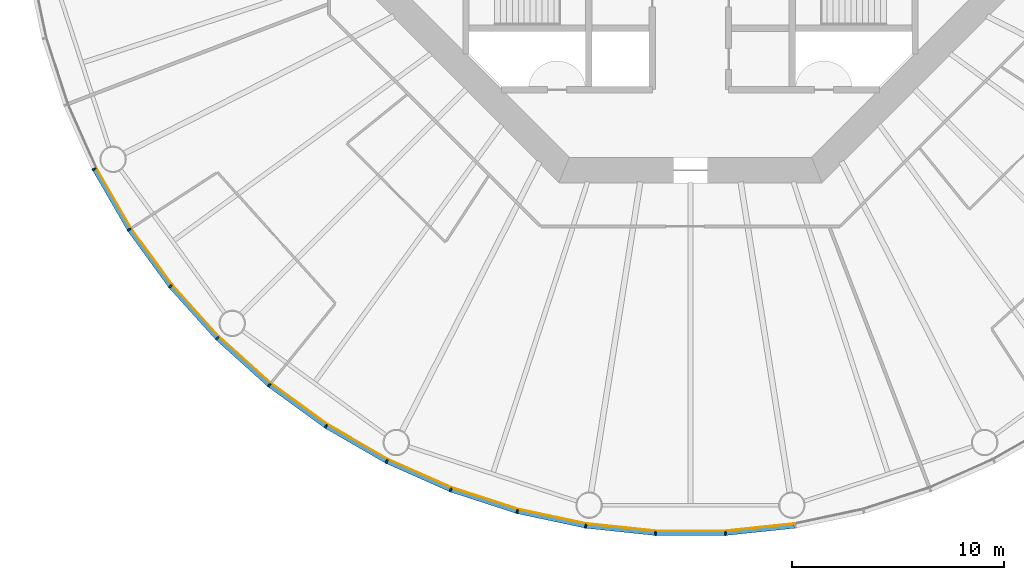
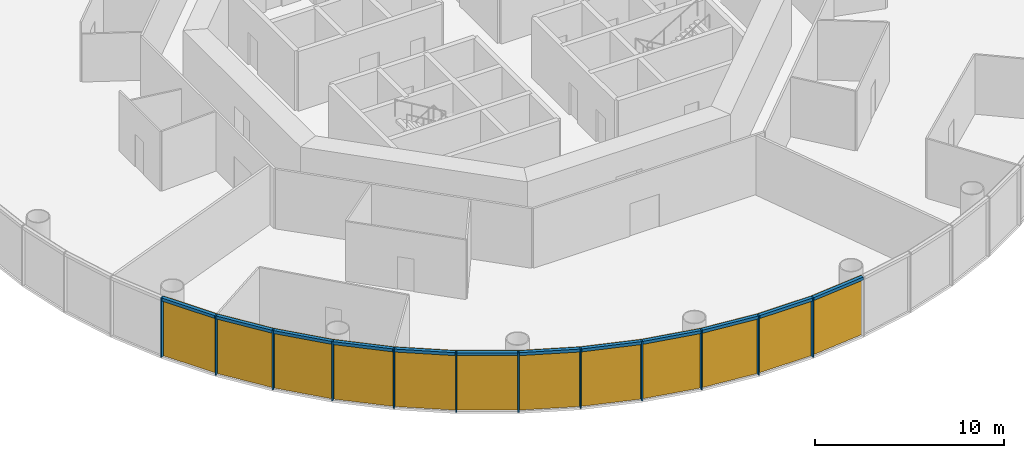
# One storey, part 7 of 13: 24 members, 4 curtain walls.
"""IFC4 building model written with IfcOpenShell, lengths in metres."""

from ifc_helpers import new_model, si_unit, direction, frame, origin, origin_2d, place, context, subcontext, project, spatial, polyline, rectangle, outline, extrude, material, layer, layer_set, material_profile, profile_set, type_object, element, aggregate, save


model = new_model("IFC4")

# Units and contexts
model_context = context("Model", 3, precision=1e-05, world=origin(), true_north=direction((0.0, 1.0)))
body_context = subcontext(model_context, "Body", "Model", "MODEL_VIEW")
ifc_project = project(units=[si_unit("LENGTHUNIT", "METRE"), si_unit("AREAUNIT", "SQUARE_METRE"), si_unit("VOLUMEUNIT", "CUBIC_METRE"), si_unit("PLANEANGLEUNIT", "RADIAN"), si_unit("MASSUNIT", "GRAM", prefix="KILO")], contexts=[model_context])

# Member
ifc_material_1 = material(Name="Anodised aluminium", Category="aluminium")
ifc_material_profile_1 = material_profile(ifc_material_1, rectangle(XDim=0.070068359375, YDim=0.199951171875, at=origin_2d()), Name="Mullion 70 x 200 mm anodised aluminium")
ifc_profile_set_1 = profile_set([ifc_material_profile_1], Name="Anodised aluminium")
member_type_1 = type_object("IfcMemberType", Name="Mullion 70 x 200 mm anodised aluminium", PredefinedType="MULLION", material=ifc_profile_set_1)
site_placement = place(None, origin())
building_placement = place(site_placement, origin())
storey_placement = place(building_placement, frame((0.0, 0.0, 108.0)))
member_1_placement = place(storey_placement, frame((61.84423828125, 65.65380859375, 0.0), z_axis=(0.0, 0.0, 1.0), x_axis=(0.45399049974, -0.891006524188, 0.0)))
member_1 = element("IfcMember", 1, at=member_1_placement, type_object=member_type_1, Name="MULLION L24-33", PredefinedType="MULLION", context=body_context, shape_type="SweptSolid", body=[
    extrude(rectangle(XDim=0.070068359375, YDim=0.199951171875, at=origin_2d()), origin(), (0.0, 0.0, 1.0), 3.85009765625),
])

member_2_placement = place(storey_placement, frame((63.498046875, 62.789306640625, 0.0), z_axis=(0.0, 0.0, 1.0), x_axis=(0.544639035015, -0.838670567945, 0.0)))
member_2 = element("IfcMember", 2, at=member_2_placement, type_object=member_type_1, Name="MULLION L24-34", PredefinedType="MULLION", context=body_context, shape_type="SweptSolid", body=[
    extrude(rectangle(XDim=0.070068359375, YDim=0.199951171875, at=origin_2d()), origin(), (0.0, 0.0, 1.0), 3.85009765625),
])

member_3_placement = place(storey_placement, frame((65.442138671875, 60.113525390625, 0.0), z_axis=(0.0, 0.0, 1.0), x_axis=(0.62932039105, -0.777145961457, 0.0)))
member_3 = element("IfcMember", 3, at=member_3_placement, type_object=member_type_1, Name="MULLION L24-35", PredefinedType="MULLION", context=body_context, shape_type="SweptSolid", body=[
    extrude(rectangle(XDim=0.070068359375, YDim=0.199951171875, at=origin_2d()), origin(), (0.0, 0.0, 1.0), 3.85009765625),
])

member_4_placement = place(storey_placement, frame((67.655517578125, 57.655517578125, 0.0), z_axis=(0.0, 0.0, 1.0), x_axis=(0.707106781187, -0.707106781187, 0.0)))
member_4 = element("IfcMember", 4, at=member_4_placement, type_object=member_type_1, Name="MULLION L24-36", PredefinedType="MULLION", context=body_context, shape_type="SweptSolid", body=[
    extrude(rectangle(XDim=0.070068359375, YDim=0.199951171875, at=origin_2d()), origin(), (0.0, 0.0, 1.0), 3.85009765625),
])

member_5_placement = place(storey_placement, frame((70.113525390625, 55.442138671875, 0.0), z_axis=(0.0, 0.0, 1.0), x_axis=(0.777145961457, -0.62932039105, 0.0)))
member_5 = element("IfcMember", 5, at=member_5_placement, type_object=member_type_1, Name="MULLION L24-37", PredefinedType="MULLION", context=body_context, shape_type="SweptSolid", body=[
    extrude(rectangle(XDim=0.070068359375, YDim=0.199951171875, at=origin_2d()), origin(), (0.0, 0.0, 1.0), 3.85009765625),
])

member_6_placement = place(storey_placement, frame((72.789306640625, 53.498046875, 0.0), z_axis=(0.0, 0.0, 1.0), x_axis=(0.838670567945, -0.544639035015, 0.0)))
member_6 = element("IfcMember", 6, at=member_6_placement, type_object=member_type_1, Name="MULLION L24-38", PredefinedType="MULLION", context=body_context, shape_type="SweptSolid", body=[
    extrude(rectangle(XDim=0.070068359375, YDim=0.199951171875, at=origin_2d()), origin(), (0.0, 0.0, 1.0), 3.85009765625),
])

member_7_placement = place(storey_placement, frame((75.65380859375, 51.84423828125, 0.0), z_axis=(0.0, 0.0, 1.0), x_axis=(0.891006524188, -0.45399049974, 0.0)))
member_7 = element("IfcMember", 7, at=member_7_placement, type_object=member_type_1, Name="MULLION L24-39", PredefinedType="MULLION", context=body_context, shape_type="SweptSolid", body=[
    extrude(rectangle(XDim=0.070068359375, YDim=0.199951171875, at=origin_2d()), origin(), (0.0, 0.0, 1.0), 3.85009765625),
])

member_8_placement = place(storey_placement, frame((78.675537109375, 50.498779296875, 0.0), z_axis=(0.0, 0.0, 1.0), x_axis=(0.933580426497, -0.358367949545, 0.0)))
member_8 = element("IfcMember", 8, at=member_8_placement, type_object=member_type_1, Name="MULLION L24-40", PredefinedType="MULLION", context=body_context, shape_type="SweptSolid", body=[
    extrude(rectangle(XDim=0.070068359375, YDim=0.199951171875, at=origin_2d()), origin(), (0.0, 0.0, 1.0), 3.85009765625),
])

member_9_placement = place(storey_placement, frame((81.8212890625, 49.476806640625, 0.0), z_axis=(0.0, 0.0, 1.0), x_axis=(0.965925826289, -0.258819045103, 0.0)))
member_9 = element("IfcMember", 9, at=member_9_placement, type_object=member_type_1, Name="MULLION L24-41", PredefinedType="MULLION", context=body_context, shape_type="SweptSolid", body=[
    extrude(rectangle(XDim=0.070068359375, YDim=0.199951171875, at=origin_2d()), origin(), (0.0, 0.0, 1.0), 3.85009765625),
])

member_10_placement = place(storey_placement, frame((85.056640625, 48.7890625, 0.0), z_axis=(0.0, 0.0, 1.0), x_axis=(0.987688340595, -0.15643446504, 0.0)))
member_10 = element("IfcMember", 10, at=member_10_placement, type_object=member_type_1, Name="MULLION L24-42", PredefinedType="MULLION", context=body_context, shape_type="SweptSolid", body=[
    extrude(rectangle(XDim=0.070068359375, YDim=0.199951171875, at=origin_2d()), origin(), (0.0, 0.0, 1.0), 3.85009765625),
])

member_11_placement = place(storey_placement, frame((88.34619140625, 48.443359375, 0.0), z_axis=(0.0, 0.0, 1.0), x_axis=(0.998629534755, -0.052335956243, 0.0)))
member_11 = element("IfcMember", 11, at=member_11_placement, type_object=member_type_1, Name="MULLION L24-43", PredefinedType="MULLION", context=body_context, shape_type="SweptSolid", body=[
    extrude(rectangle(XDim=0.070068359375, YDim=0.199951171875, at=origin_2d()), origin(), (0.0, 0.0, 1.0), 3.85009765625),
])

member_12_placement = place(storey_placement, frame((91.65380859375, 48.443359375, 0.0), z_axis=(0.0, 0.0, 1.0), x_axis=(0.998629534755, 0.052335956243, 0.0)))
member_12 = element("IfcMember", 12, at=member_12_placement, type_object=member_type_1, Name="MULLION L24-44", PredefinedType="MULLION", context=body_context, shape_type="SweptSolid", body=[
    extrude(rectangle(XDim=0.070068359375, YDim=0.199951171875, at=origin_2d()), origin(), (0.0, 0.0, 1.0), 3.85009765625),
])

ifc_material_2 = material(Name="Anodised aluminium", Category="aluminium")
ifc_material_profile_2 = material_profile(ifc_material_2, rectangle(XDim=0.199951171875, YDim=0.18994140625, at=origin_2d()), Name="Transom 190 x 200 mm anodised aluminium")
ifc_profile_set_2 = profile_set([ifc_material_profile_2], Name="Anodised aluminium")
member_type_2 = type_object("IfcMemberType", Name="Transom 190 x 200 mm anodised aluminium", PredefinedType="USERDEFINED", material=ifc_profile_set_2)
member_13_placement = place(storey_placement, frame((61.8642578125, 65.618896484375, 3.7548828125), z_axis=(0.500004055213, -0.866023062494, 0.0), x_axis=(0.866023062494, 0.500004055213, 0.0)))
member_13 = element("IfcMember", 13, at=member_13_placement, type_object=member_type_2, Name="TRANSOM L24-33", ObjectType="TRANSOM", PredefinedType="USERDEFINED", context=body_context, shape_type="SweptSolid", body=[
    extrude(rectangle(XDim=0.199951171875, YDim=0.18994140625, at=origin_2d()), origin(), (0.0, 0.0, 1.0), 3.22705078125),
])

member_14_placement = place(storey_placement, frame((63.521484375, 62.7568359375, 3.7548828125), z_axis=(0.587802790201, -0.809004252048, 0.0), x_axis=(0.809004252048, 0.587802790201, 0.0)))
member_14 = element("IfcMember", 14, at=member_14_placement, type_object=member_type_2, Name="TRANSOM L24-34", ObjectType="TRANSOM", PredefinedType="USERDEFINED", context=body_context, shape_type="SweptSolid", body=[
    extrude(rectangle(XDim=0.199951171875, YDim=0.18994140625, at=origin_2d()), origin(), (0.0, 0.0, 1.0), 3.227294921875),
])

member_15_placement = place(storey_placement, frame((65.468994140625, 60.08349609375, 3.7548828125), z_axis=(0.669144438484, -0.743132370743, 0.0), x_axis=(0.743132370743, 0.669144438484, 0.0)))
member_15 = element("IfcMember", 15, at=member_15_placement, type_object=member_type_2, Name="TRANSOM L24-35", ObjectType="TRANSOM", PredefinedType="USERDEFINED", context=body_context, shape_type="SweptSolid", body=[
    extrude(rectangle(XDim=0.199951171875, YDim=0.18994140625, at=origin_2d()), origin(), (0.0, 0.0, 1.0), 3.22705078125),
])

member_16_placement = place(storey_placement, frame((67.685302734375, 57.62841796875, 3.7548828125), z_axis=(0.743132370743, -0.669144438484, 0.0), x_axis=(0.669144438484, 0.743132370743, 0.0)))
member_16 = element("IfcMember", 16, at=member_16_placement, type_object=member_type_2, Name="TRANSOM L24-36", ObjectType="TRANSOM", PredefinedType="USERDEFINED", context=body_context, shape_type="SweptSolid", body=[
    extrude(rectangle(XDim=0.199951171875, YDim=0.18994140625, at=origin_2d()), origin(), (0.0, 0.0, 1.0), 3.22705078125),
])

member_17_placement = place(storey_placement, frame((70.14599609375, 55.41845703125, 3.7548828125), z_axis=(0.809004252048, -0.587802790201, 0.0), x_axis=(0.587802790201, 0.809004252048, 0.0)))
member_17 = element("IfcMember", 17, at=member_17_placement, type_object=member_type_2, Name="TRANSOM L24-37", ObjectType="TRANSOM", PredefinedType="USERDEFINED", context=body_context, shape_type="SweptSolid", body=[
    extrude(rectangle(XDim=0.199951171875, YDim=0.18994140625, at=origin_2d()), origin(), (0.0, 0.0, 1.0), 3.227294921875),
])

member_18_placement = place(storey_placement, frame((72.82421875, 53.477783203125, 3.7548828125), z_axis=(0.866023062494, -0.500004055213, 0.0), x_axis=(0.500004055213, 0.866023062494, 0.0)))
member_18 = element("IfcMember", 18, at=member_18_placement, type_object=member_type_2, Name="TRANSOM L24-38", ObjectType="TRANSOM", PredefinedType="USERDEFINED", context=body_context, shape_type="SweptSolid", body=[
    extrude(rectangle(XDim=0.199951171875, YDim=0.18994140625, at=origin_2d()), origin(), (0.0, 0.0, 1.0), 3.22705078125),
])

member_19_placement = place(storey_placement, frame((75.690673828125, 51.82763671875, 3.7548828125), z_axis=(0.913549291349, -0.406728032322, 0.0), x_axis=(0.406728032322, 0.913549291349, 0.0)))
member_19 = element("IfcMember", 19, at=member_19_placement, type_object=member_type_2, Name="TRANSOM L24-39", ObjectType="TRANSOM", PredefinedType="USERDEFINED", context=body_context, shape_type="SweptSolid", body=[
    extrude(rectangle(XDim=0.199951171875, YDim=0.18994140625, at=origin_2d()), origin(), (0.0, 0.0, 1.0), 3.22705078125),
])

member_20_placement = place(storey_placement, frame((78.7138671875, 50.486328125, 3.7548828125), z_axis=(0.951046855117, -0.309046726844, 0.0), x_axis=(0.309046726844, 0.951046855117, 0.0)))
member_20 = element("IfcMember", 20, at=member_20_placement, type_object=member_type_2, Name="TRANSOM L24-40", ObjectType="TRANSOM", PredefinedType="USERDEFINED", context=body_context, shape_type="SweptSolid", body=[
    extrude(rectangle(XDim=0.199951171875, YDim=0.18994140625, at=origin_2d()), origin(), (0.0, 0.0, 1.0), 3.22705078125),
])

member_21_placement = place(storey_placement, frame((81.860595703125, 49.46826171875, 3.7548828125), z_axis=(0.978153082647, -0.207885898771, 0.0), x_axis=(0.207885898771, 0.978153082647, 0.0)))
member_21 = element("IfcMember", 21, at=member_21_placement, type_object=member_type_2, Name="TRANSOM L24-41", ObjectType="TRANSOM", PredefinedType="USERDEFINED", context=body_context, shape_type="SweptSolid", body=[
    extrude(rectangle(XDim=0.199951171875, YDim=0.18994140625, at=origin_2d()), origin(), (0.0, 0.0, 1.0), 3.227294921875),
])

member_22_placement = place(storey_placement, frame((85.0966796875, 48.78466796875, 3.7548828125), z_axis=(0.994519537956, -0.104550890115, 0.0), x_axis=(0.104550890115, 0.994519537956, 0.0)))
member_22 = element("IfcMember", 22, at=member_22_placement, type_object=member_type_2, Name="TRANSOM L24-42", ObjectType="TRANSOM", PredefinedType="USERDEFINED", context=body_context, shape_type="SweptSolid", body=[
    extrude(rectangle(XDim=0.199951171875, YDim=0.18994140625, at=origin_2d()), origin(), (0.0, 0.0, 1.0), 3.22705078125),
])

member_23_placement = place(storey_placement, frame((88.386474609375, 48.443115234375, 3.7548828125), z_axis=(1.0, 0.0, 0.0), x_axis=(0.0, 1.0, 0.0)))
member_23 = element("IfcMember", 23, at=member_23_placement, type_object=member_type_2, Name="TRANSOM L24-43", ObjectType="TRANSOM", PredefinedType="USERDEFINED", context=body_context, shape_type="SweptSolid", body=[
    extrude(rectangle(XDim=0.199951171875, YDim=0.18994140625, at=origin_2d()), origin(), (0.0, 0.0, 1.0), 3.22705078125),
])

member_24_placement = place(storey_placement, frame((91.69384765625, 48.447265625, 3.7548828125), z_axis=(0.994519537956, 0.104550890115, 0.0), x_axis=(-0.104550890115, 0.994519537956, 0.0)))
member_24 = element("IfcMember", 24, at=member_24_placement, type_object=member_type_2, Name="TRANSOM L24-44", ObjectType="TRANSOM", PredefinedType="USERDEFINED", context=body_context, shape_type="SweptSolid", body=[
    extrude(rectangle(XDim=0.199951171875, YDim=0.18994140625, at=origin_2d()), origin(), (0.0, 0.0, 1.0), 3.22705078125),
])

# Site, building, storey
site = spatial("IfcSite", under=ifc_project, at=site_placement, CompositionType="ELEMENT")
building = spatial("IfcBuilding", under=site, at=building_placement, Name="Entoto Ring Tower", CompositionType="ELEMENT")
storey = spatial("IfcBuildingStorey", under=building, at=storey_placement, Name="L24", CompositionType="ELEMENT", Elevation=108.0)

# Curtain wall
ifc_material_3 = material(Name="Clear low-iron glass", Category="glass")
ifc_layer = layer(ifc_material_3, 0.035888671875)
ifc_layer_set = layer_set([ifc_layer], Name="Clear low-iron glass")
curtain_wall_type = type_object("IfcCurtainWallType", Name="Curtain wall system CW2 glazing 36 mm", PredefinedType="NOTDEFINED", material=ifc_layer_set)
curtain_wall_1_placement = place(storey_placement, origin())
curtain_wall_1 = element("IfcCurtainWall", 25, at=curtain_wall_1_placement, inside=storey, type_object=curtain_wall_type, Name="CW2 L24-12", PredefinedType="NOTDEFINED", context=body_context, shape_type="SweptSolid", body=[
    extrude(outline(polyline([(61.933349609375, 65.69921875), (63.581787109375, 62.84375), (65.52001953125, 60.176513671875), (67.72607421875, 57.72607421875), (67.751708984375, 57.751708984375), (65.5478515625, 60.198974609375), (63.612060546875, 62.863525390625), (61.96533203125, 65.715576171875), (61.933349609375, 65.69921875)])), origin(), (0.0, 0.0, 1.0), 3.85009765625),
])

aggregate(curtain_wall_1, [member_1, member_2, member_3, member_13, member_14, member_15])

curtain_wall_2_placement = place(storey_placement, origin())
curtain_wall_2 = element("IfcCurtainWall", 26, at=curtain_wall_2_placement, inside=storey, type_object=curtain_wall_type, Name="CW2 L24-13", PredefinedType="NOTDEFINED", context=body_context, shape_type="SweptSolid", body=[
    extrude(outline(polyline([(67.72607421875, 57.72607421875), (70.176513671875, 55.52001953125), (72.84375, 53.581787109375), (75.69921875, 51.933349609375), (75.715576171875, 51.96533203125), (72.863525390625, 53.612060546875), (70.198974609375, 55.5478515625), (67.751708984375, 57.751708984375), (67.72607421875, 57.72607421875)])), origin(), (0.0, 0.0, 1.0), 3.85009765625),
])

aggregate(curtain_wall_2, [member_4, member_5, member_6, member_16, member_17, member_18])

curtain_wall_3_placement = place(storey_placement, origin())
curtain_wall_3 = element("IfcCurtainWall", 27, at=curtain_wall_3_placement, inside=storey, type_object=curtain_wall_type, Name="CW2 L24-14", PredefinedType="NOTDEFINED", context=body_context, shape_type="SweptSolid", body=[
    extrude(outline(polyline([(75.69921875, 51.933349609375), (78.71142578125, 50.59228515625), (81.84716796875, 49.5732421875), (85.072265625, 48.8876953125), (85.077880859375, 48.92333984375), (81.8564453125, 49.608154296875), (78.724365234375, 50.6259765625), (75.715576171875, 51.96533203125), (75.69921875, 51.933349609375)])), origin(), (0.0, 0.0, 1.0), 3.85009765625),
])

aggregate(curtain_wall_3, [member_7, member_8, member_9, member_19, member_20, member_21])

curtain_wall_4_placement = place(storey_placement, origin())
curtain_wall_4 = element("IfcCurtainWall", 28, at=curtain_wall_4_placement, inside=storey, type_object=curtain_wall_type, Name="CW2 L24-15", PredefinedType="NOTDEFINED", context=body_context, shape_type="SweptSolid", body=[
    extrude(outline(polyline([(85.072265625, 48.8876953125), (88.351318359375, 48.543212890625), (91.648681640625, 48.543212890625), (94.927734375, 48.8876953125), (94.922119140625, 48.92333984375), (91.646728515625, 48.5791015625), (88.353271484375, 48.5791015625), (85.077880859375, 48.92333984375), (85.072265625, 48.8876953125)])), origin(), (0.0, 0.0, 1.0), 3.85009765625),
])

aggregate(curtain_wall_4, [member_10, member_11, member_12, member_22, member_23, member_24])

save(model, "model.ifc")
